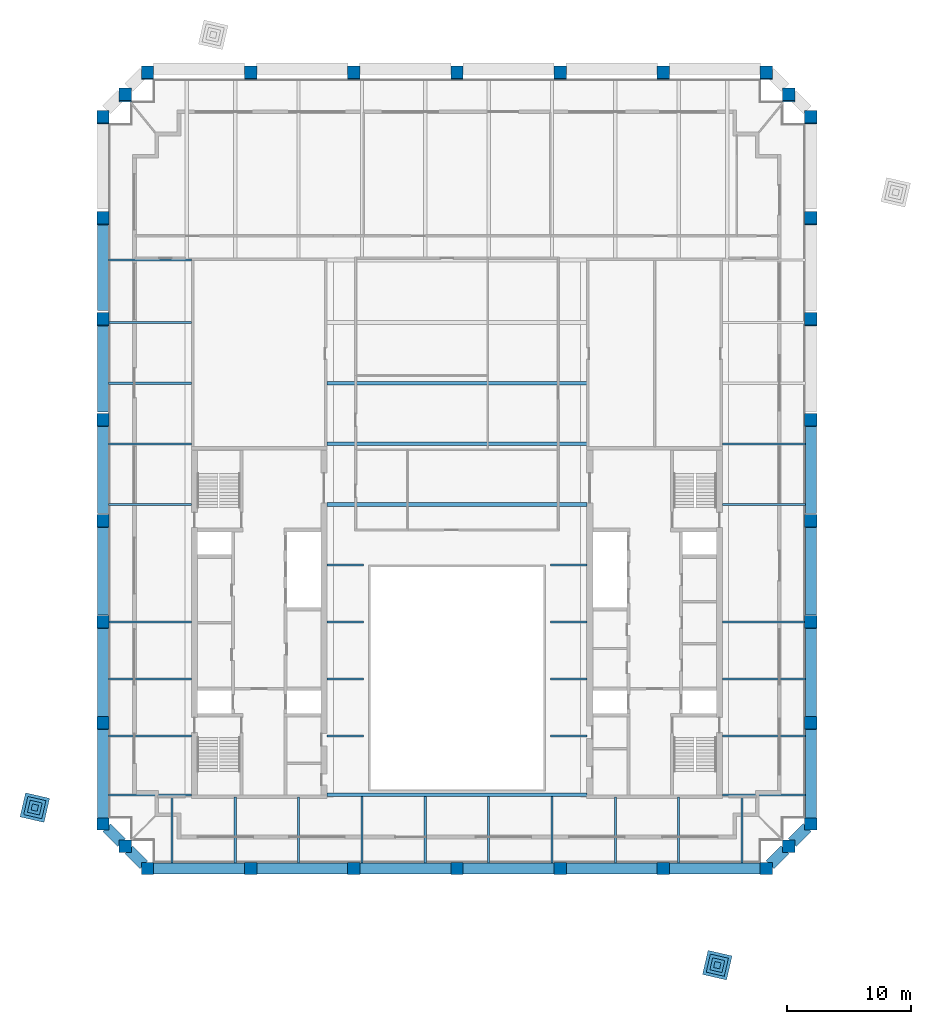
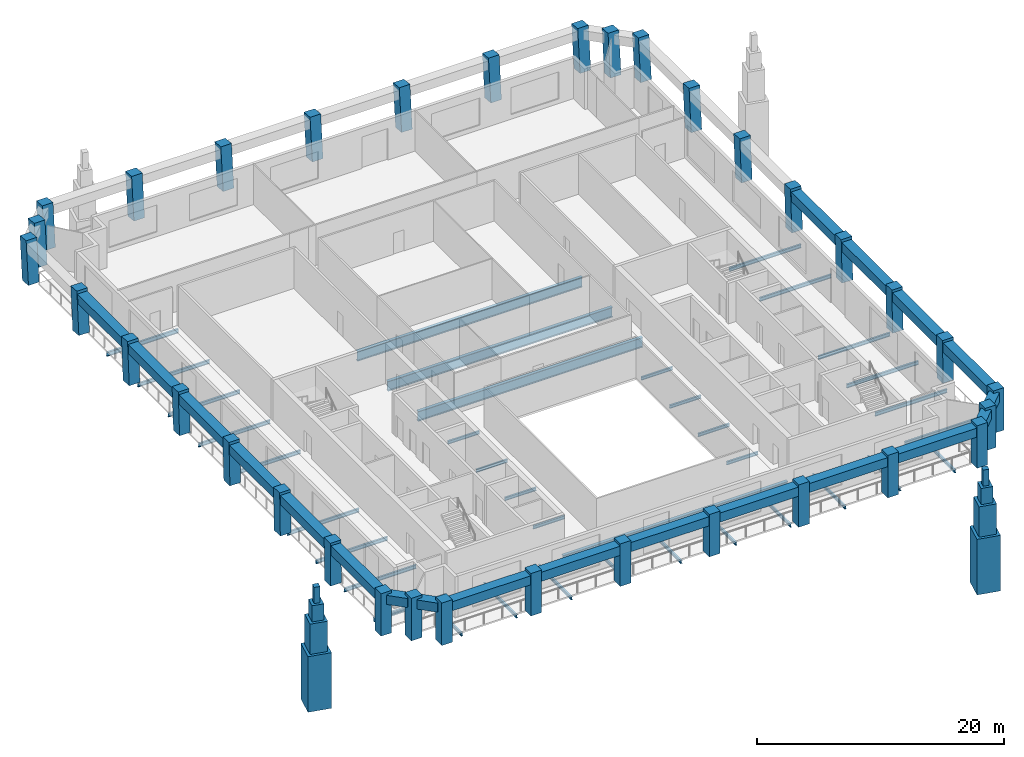
# One storey, part 1 of 8: 57 beams, 34 columns, 8 members.
"""IFC4 building model written with IfcOpenShell, lengths in metres."""

from ifc_helpers import new_model, si_unit, direction, frame, origin, origin_2d, place, context, subcontext, project, spatial, rectangle, i_section, extrude, material, material_profile, profile_set, type_object, element, save


model = new_model("IFC4")

# Units and contexts
model_context = context("Model", 3, precision=1e-05, world=origin(), true_north=direction((0.0, 1.0)))
body_context = subcontext(model_context, "Body", "Model", "MODEL_VIEW")
ifc_project = project(units=[si_unit("LENGTHUNIT", "METRE"), si_unit("AREAUNIT", "SQUARE_METRE"), si_unit("VOLUMEUNIT", "CUBIC_METRE"), si_unit("PLANEANGLEUNIT", "RADIAN"), si_unit("MASSUNIT", "GRAM", prefix="KILO")], contexts=[model_context])

# Site, building, storey
site_placement = place(None, origin())
site = spatial("IfcSite", under=ifc_project, at=site_placement, CompositionType="ELEMENT")
building_placement = place(site_placement, origin())
building = spatial("IfcBuilding", under=site, at=building_placement, Name="Ogive Exchange Tower", CompositionType="ELEMENT")
storey_placement = place(building_placement, frame((0.0, 0.0, 309.0)))
storey = spatial("IfcBuildingStorey", under=building, at=storey_placement, Name="L67", CompositionType="ELEMENT", Elevation=309.0)

# Columns
ifc_material_1 = material(Name="Precast concrete C70/85 (limestone faced)", Category="masonry")
ifc_material_profile_1 = material_profile(ifc_material_1, rectangle(XDim=1.0, YDim=1.0, at=origin_2d()), Name="1000 x 1000")
ifc_profile_set_1 = profile_set([ifc_material_profile_1], Name="Precast concrete C70/85 (limestone faced)")
column_type = type_object("IfcColumnType", Name="Precast exoskeleton leg 1000 x 1000 C70/85", PredefinedType="COLUMN", material=ifc_profile_set_1)
for number, where, z_axis, x_axis, name in (
    (1, (-25.050048828125, -8.39990234375, 0.0), (0.0, 0.0, 1.0), (1.0, 0.0, 0.0), "Exoskeleton leg 1"),
    (2, (-16.699951171875, -8.39990234375, 0.0), (0.0, 0.0, 1.0), (1.0, 0.0, 0.0), "Exoskeleton leg 2"),
    (3, (-8.35009765625, -8.39990234375, 0.0), (0.0, 0.0, 1.0), (1.0, 0.0, 0.0), "Exoskeleton leg 3"),
    (4, (0.0, -8.39990234375, 0.0), (0.0, 0.0, 1.0), (1.0, 0.0, 0.0), "Exoskeleton leg 4"),
    (5, (8.35009765625, -8.39990234375, 0.0), (0.0, 0.0, 1.0), (1.0, 0.0, 0.0), "Exoskeleton leg 5"),
    (6, (16.699951171875, -8.39990234375, 0.0), (0.0, 0.0, 1.0), (1.0, 0.0, 0.0), "Exoskeleton leg 6"),
    (7, (25.050048828125, -8.39990234375, 0.0), (0.0, 0.0, 1.0), (1.0, 0.0, 0.0), "Exoskeleton leg 7"),
    (8, (28.64990234375, -4.800048828125, 0.0), (0.0, 0.0, 1.0), (1.0, 0.0, 0.0), "Exoskeleton leg 8"),
):
    element("IfcColumn", number, at=place(storey_placement, frame(where, z_axis=z_axis, x_axis=x_axis)), inside=storey, type_object=column_type, Name=name, PredefinedType="COLUMN", context=body_context, shape_type="SweptSolid", body=[
        extrude(rectangle(XDim=1.0, YDim=1.0, at=origin_2d()), origin(), (0.0, 0.0, 1.0), 4.199951171875),
    ])
column_1_placement = place(storey_placement, frame((28.64990234375, 3.363525390625, 0.0), z_axis=(0.0, 0.013019881024, 0.999915237757), x_axis=(-1.0, 0.0, 0.0)))
element("IfcColumn", 9, at=column_1_placement, inside=storey, type_object=column_type, Name="Exoskeleton leg 9", PredefinedType="COLUMN", context=body_context, shape_type="SweptSolid", body=[
    extrude(rectangle(XDim=1.0, YDim=1.0, at=origin_2d()), origin(), (0.0, 0.0, 1.0), 4.2001953125),
])
column_2_placement = place(storey_placement, frame((28.64990234375, 11.52734375, 0.0), z_axis=(0.0, 0.025975072843, 0.999662590873), x_axis=(-1.0, 0.0, 0.0)))
element("IfcColumn", 10, at=column_2_placement, inside=storey, type_object=column_type, Name="Exoskeleton leg 10", PredefinedType="COLUMN", context=body_context, shape_type="SweptSolid", body=[
    extrude(rectangle(XDim=1.0, YDim=1.0, at=origin_2d()), origin(), (0.0, 0.0, 1.0), 4.201416015625),
])
column_3_placement = place(storey_placement, frame((28.64990234375, 19.69091796875, 0.0), z_axis=(0.0, 0.038917190853, 0.999242439179), x_axis=(-1.0, 0.0, 0.0)))
element("IfcColumn", 11, at=column_3_placement, inside=storey, type_object=column_type, Name="Exoskeleton leg 11", PredefinedType="COLUMN", context=body_context, shape_type="SweptSolid", body=[
    extrude(rectangle(XDim=1.0, YDim=1.0, at=origin_2d()), origin(), (0.0, 0.0, 1.0), 4.203125),
])
column_4_placement = place(storey_placement, frame((28.64990234375, 27.8544921875, 0.0), z_axis=(0.0, 0.051897648879, 0.99865240902), x_axis=(-1.0, 0.0, 0.0)))
element("IfcColumn", 12, at=column_4_placement, inside=storey, type_object=column_type, Name="Exoskeleton leg 12", PredefinedType="COLUMN", context=body_context, shape_type="SweptSolid", body=[
    extrude(rectangle(XDim=1.0, YDim=1.0, at=origin_2d()), origin(), (0.0, 0.0, 1.0), 4.20556640625),
])
column_5_placement = place(storey_placement, frame((28.64990234375, 36.018310546875, 0.0), z_axis=(0.0, 0.064794093908, 0.997898654872), x_axis=(-1.0, 0.0, 0.0)))
element("IfcColumn", 13, at=column_5_placement, inside=storey, type_object=column_type, Name="Exoskeleton leg 13", PredefinedType="COLUMN", context=body_context, shape_type="SweptSolid", body=[
    extrude(rectangle(XDim=1.0, YDim=1.0, at=origin_2d()), origin(), (0.0, 0.0, 1.0), 4.208740234375),
])
column_6_placement = place(storey_placement, frame((28.64990234375, 44.181884765625, 0.0), z_axis=(0.0, 0.077658156178, 0.996980045326), x_axis=(-1.0, 0.0, 0.0)))
element("IfcColumn", 14, at=column_6_placement, inside=storey, type_object=column_type, Name="Exoskeleton leg 14", PredefinedType="COLUMN", context=body_context, shape_type="SweptSolid", body=[
    extrude(rectangle(XDim=1.0, YDim=1.0, at=origin_2d()), origin(), (0.0, 0.0, 1.0), 4.212646484375),
])
for number, where, z_axis, x_axis, name in (
    (15, (28.64990234375, 52.345458984375, 0.0), (0.0, 0.090540965689, 0.995892731941), (-1.0, 0.0, 0.0), "Exoskeleton leg 15"),
    (16, (25.050048828125, 55.945556640625, 0.0), (0.0, 0.090540965689, 0.995892731941), (-1.0, 0.0, 0.0), "Exoskeleton leg 16"),
    (17, (16.699951171875, 55.945556640625, 0.0), (0.0, 0.090540965689, 0.995892731941), (-1.0, 0.0, 0.0), "Exoskeleton leg 17"),
    (18, (8.35009765625, 55.945556640625, 0.0), (0.0, 0.090540965689, 0.995892731941), (-1.0, 0.0, 0.0), "Exoskeleton leg 18"),
    (19, (0.0, 55.945556640625, 0.0), (0.0, 0.090540965689, 0.995892731941), (-1.0, 0.0, 0.0), "Exoskeleton leg 19"),
    (20, (-8.35009765625, 55.945556640625, 0.0), (0.0, 0.090540965689, 0.995892731941), (-1.0, 0.0, 0.0), "Exoskeleton leg 20"),
    (21, (-16.699951171875, 55.945556640625, 0.0), (0.0, 0.090540965689, 0.995892731941), (-1.0, 0.0, 0.0), "Exoskeleton leg 21"),
    (22, (-25.050048828125, 55.945556640625, 0.0), (0.0, 0.090540965689, 0.995892731941), (-1.0, 0.0, 0.0), "Exoskeleton leg 22"),
    (23, (-28.64990234375, 52.345458984375, 0.0), (0.0, 0.090540965689, 0.995892731941), (-1.0, 0.0, 0.0), "Exoskeleton leg 23"),
):
    element("IfcColumn", number, at=place(storey_placement, frame(where, z_axis=z_axis, x_axis=x_axis)), inside=storey, type_object=column_type, Name=name, PredefinedType="COLUMN", context=body_context, shape_type="SweptSolid", body=[
        extrude(rectangle(XDim=1.0, YDim=1.0, at=origin_2d()), origin(), (0.0, 0.0, 1.0), 4.21728515625),
    ])
column_7_placement = place(storey_placement, frame((-28.64990234375, 44.181884765625, 0.0), z_axis=(0.0, 0.077658156178, 0.996980045326), x_axis=(-1.0, 0.0, 0.0)))
element("IfcColumn", 24, at=column_7_placement, inside=storey, type_object=column_type, Name="Exoskeleton leg 24", PredefinedType="COLUMN", context=body_context, shape_type="SweptSolid", body=[
    extrude(rectangle(XDim=1.0, YDim=1.0, at=origin_2d()), origin(), (0.0, 0.0, 1.0), 4.212646484375),
])
column_8_placement = place(storey_placement, frame((-28.64990234375, 36.018310546875, 0.0), z_axis=(0.0, 0.064794093908, 0.997898654872), x_axis=(-1.0, 0.0, 0.0)))
element("IfcColumn", 25, at=column_8_placement, inside=storey, type_object=column_type, Name="Exoskeleton leg 25", PredefinedType="COLUMN", context=body_context, shape_type="SweptSolid", body=[
    extrude(rectangle(XDim=1.0, YDim=1.0, at=origin_2d()), origin(), (0.0, 0.0, 1.0), 4.208740234375),
])
column_9_placement = place(storey_placement, frame((-28.64990234375, 27.8544921875, 0.0), z_axis=(0.0, 0.051897648879, 0.99865240902), x_axis=(-1.0, 0.0, 0.0)))
element("IfcColumn", 26, at=column_9_placement, inside=storey, type_object=column_type, Name="Exoskeleton leg 26", PredefinedType="COLUMN", context=body_context, shape_type="SweptSolid", body=[
    extrude(rectangle(XDim=1.0, YDim=1.0, at=origin_2d()), origin(), (0.0, 0.0, 1.0), 4.20556640625),
])
column_10_placement = place(storey_placement, frame((-28.64990234375, 19.69091796875, 0.0), z_axis=(0.0, 0.038917190853, 0.999242439179), x_axis=(-1.0, 0.0, 0.0)))
element("IfcColumn", 27, at=column_10_placement, inside=storey, type_object=column_type, Name="Exoskeleton leg 27", PredefinedType="COLUMN", context=body_context, shape_type="SweptSolid", body=[
    extrude(rectangle(XDim=1.0, YDim=1.0, at=origin_2d()), origin(), (0.0, 0.0, 1.0), 4.203125),
])
column_11_placement = place(storey_placement, frame((-28.64990234375, 11.52734375, 0.0), z_axis=(0.0, 0.025975072843, 0.999662590873), x_axis=(-1.0, 0.0, 0.0)))
element("IfcColumn", 28, at=column_11_placement, inside=storey, type_object=column_type, Name="Exoskeleton leg 28", PredefinedType="COLUMN", context=body_context, shape_type="SweptSolid", body=[
    extrude(rectangle(XDim=1.0, YDim=1.0, at=origin_2d()), origin(), (0.0, 0.0, 1.0), 4.201416015625),
])
column_12_placement = place(storey_placement, frame((-28.64990234375, 3.363525390625, 0.0), z_axis=(0.0, 0.013019881024, 0.999915237757), x_axis=(-1.0, 0.0, 0.0)))
element("IfcColumn", 29, at=column_12_placement, inside=storey, type_object=column_type, Name="Exoskeleton leg 29", PredefinedType="COLUMN", context=body_context, shape_type="SweptSolid", body=[
    extrude(rectangle(XDim=1.0, YDim=1.0, at=origin_2d()), origin(), (0.0, 0.0, 1.0), 4.2001953125),
])
for number, where, z_axis, x_axis, name in (
    (30, (-28.64990234375, -4.800048828125, 0.0), (0.0, 0.0, 1.0), (1.0, 0.0, 0.0), "Exoskeleton leg 30"),
    (31, (26.85009765625, -6.60009765625, 0.0), (0.0, 0.0, 1.0), (1.0, 0.0, 0.0), "Exoskeleton leg 31"),
):
    element("IfcColumn", number, at=place(storey_placement, frame(where, z_axis=z_axis, x_axis=x_axis)), inside=storey, type_object=column_type, Name=name, PredefinedType="COLUMN", context=body_context, shape_type="SweptSolid", body=[
        extrude(rectangle(XDim=1.0, YDim=1.0, at=origin_2d()), origin(), (0.0, 0.0, 1.0), 4.199951171875),
    ])
for number, where, z_axis, x_axis, name in (
    (32, (26.85009765625, 54.1455078125, 0.0), (0.0, 0.090540965689, 0.995892731941), (-1.0, 0.0, 0.0), "Exoskeleton leg 32"),
    (33, (-26.85009765625, 54.1455078125, 0.0), (0.0, 0.090540965689, 0.995892731941), (-1.0, 0.0, 0.0), "Exoskeleton leg 33"),
):
    element("IfcColumn", number, at=place(storey_placement, frame(where, z_axis=z_axis, x_axis=x_axis)), inside=storey, type_object=column_type, Name=name, PredefinedType="COLUMN", context=body_context, shape_type="SweptSolid", body=[
        extrude(rectangle(XDim=1.0, YDim=1.0, at=origin_2d()), origin(), (0.0, 0.0, 1.0), 4.21728515625),
    ])
column_13_placement = place(storey_placement, frame((-26.85009765625, -6.60009765625, 0.0), z_axis=(0.0, 0.0, 1.0), x_axis=(1.0, 0.0, 0.0)))
element("IfcColumn", 34, at=column_13_placement, inside=storey, type_object=column_type, Name="Exoskeleton leg 34", PredefinedType="COLUMN", context=body_context, shape_type="SweptSolid", body=[
    extrude(rectangle(XDim=1.0, YDim=1.0, at=origin_2d()), origin(), (0.0, 0.0, 1.0), 4.199951171875),
])

# Beams
ifc_material_2 = material(Name="Steel ASTM A992 Gr50", Category="steel")
ifc_material_profile_2 = material_profile(ifc_material_2, i_section(OverallWidth=0.300048828125, OverallDepth=0.97998046875, WebThickness=0.0166015625, FlangeThickness=0.026123046875, at=origin_2d()), Name="W1000x249")
ifc_profile_set_2 = profile_set([ifc_material_profile_2], Name="Steel ASTM A992 Gr50")
beam_type_1 = type_object("IfcBeamType", Name="Floor beam W1000x249", PredefinedType="JOIST", material=ifc_profile_set_2)
for number, where, z_axis, x_axis, name in (
    (35, (-10.52001953125, 21.06201171875, -0.68994140625), (1.0, 0.0, 0.0), (0.0, 1.0, 0.0), "Floor beam"),
    (36, (-10.52001953125, 25.968994140625, -0.68994140625), (1.0, 0.0, 0.0), (0.0, 1.0, 0.0), "Floor beam"),
    (37, (-10.52001953125, 30.8759765625, -0.68994140625), (1.0, 0.0, 0.0), (0.0, 1.0, 0.0), "Floor beam"),
):
    element("IfcBeam", number, at=place(storey_placement, frame(where, z_axis=z_axis, x_axis=x_axis)), inside=storey, type_object=beam_type_1, Name=name, PredefinedType="JOIST", context=body_context, shape_type="SweptSolid", body=[
        extrude(i_section(OverallWidth=0.300048828125, OverallDepth=0.97998046875, WebThickness=0.0166015625, FlangeThickness=0.026123046875, at=origin_2d()), origin(), (0.0, 0.0, 1.0), 21.0400390625),
    ])
ifc_material_profile_3 = material_profile(ifc_material_2, i_section(OverallWidth=0.1650390625, OverallDepth=0.31005859375, WebThickness=0.005859375, FlangeThickness=0.009765625, at=origin_2d()), Name="W310x38.7")
ifc_profile_set_3 = profile_set([ifc_material_profile_3], Name="Steel ASTM A992 Gr50")
beam_type_2 = type_object("IfcBeamType", Name="Floor beam W310x38.7", PredefinedType="JOIST", material=ifc_profile_set_3)
for number, where, z_axis, x_axis, name in (
    (38, (-10.52001953125, 2.3212890625, -0.35498046875), (1.0, 0.0, 0.0), (0.0, 1.0, 0.0), "Floor beam"),
    (39, (7.570068359375, 2.3212890625, -0.35498046875), (1.0, 0.0, 0.0), (0.0, 1.0, 0.0), "Floor beam"),
    (40, (-10.52001953125, 6.9326171875, -0.35498046875), (1.0, 0.0, 0.0), (0.0, 1.0, 0.0), "Floor beam"),
    (41, (7.570068359375, 6.9326171875, -0.35498046875), (1.0, 0.0, 0.0), (0.0, 1.0, 0.0), "Floor beam"),
    (42, (-10.52001953125, 11.543701171875, -0.35498046875), (1.0, 0.0, 0.0), (0.0, 1.0, 0.0), "Floor beam"),
    (43, (7.570068359375, 11.543701171875, -0.35498046875), (1.0, 0.0, 0.0), (0.0, 1.0, 0.0), "Floor beam"),
):
    element("IfcBeam", number, at=place(storey_placement, frame(where, z_axis=z_axis, x_axis=x_axis)), inside=storey, type_object=beam_type_2, Name=name, PredefinedType="JOIST", context=body_context, shape_type="SweptSolid", body=[
        extrude(i_section(OverallWidth=0.1650390625, OverallDepth=0.31005859375, WebThickness=0.005859375, FlangeThickness=0.009765625, at=origin_2d()), origin(), (0.0, 0.0, 1.0), 2.949951171875),
    ])
beam_1_placement = place(storey_placement, frame((-23.07275390625, -7.949951171875, -0.35498046875), z_axis=(0.0, 1.0, 0.0), x_axis=(-1.0, 0.0, 0.0)))
element("IfcBeam", 44, at=beam_1_placement, inside=storey, type_object=beam_type_2, Name="Floor beam", PredefinedType="JOIST", context=body_context, shape_type="SweptSolid", body=[
    extrude(i_section(OverallWidth=0.1650390625, OverallDepth=0.31005859375, WebThickness=0.005859375, FlangeThickness=0.009765625, at=origin_2d()), origin(), (0.0, 0.0, 1.0), 5.416015625),
])
for number, where, z_axis, x_axis, name in (
    (45, (-17.945556640625, -7.949951171875, -0.35498046875), (0.0, 1.0, 0.0), (-1.0, 0.0, 0.0), "Floor beam"),
    (46, (-12.818115234375, -7.949951171875, -0.35498046875), (0.0, 1.0, 0.0), (-1.0, 0.0, 0.0), "Floor beam"),
):
    element("IfcBeam", number, at=place(storey_placement, frame(where, z_axis=z_axis, x_axis=x_axis)), inside=storey, type_object=beam_type_2, Name=name, PredefinedType="JOIST", context=body_context, shape_type="SweptSolid", body=[
        extrude(i_section(OverallWidth=0.1650390625, OverallDepth=0.31005859375, WebThickness=0.005859375, FlangeThickness=0.009765625, at=origin_2d()), origin(), (0.0, 0.0, 1.0), 5.349853515625),
    ])
for number, where, z_axis, x_axis, name in (
    (47, (-7.69091796875, -7.949951171875, -0.35498046875), (0.0, 1.0, 0.0), (-1.0, 0.0, 0.0), "Floor beam"),
    (48, (-2.563720703125, -7.949951171875, -0.35498046875), (0.0, 1.0, 0.0), (-1.0, 0.0, 0.0), "Floor beam"),
    (49, (2.563720703125, -7.949951171875, -0.35498046875), (0.0, 1.0, 0.0), (-1.0, 0.0, 0.0), "Floor beam"),
    (50, (7.69091796875, -7.949951171875, -0.35498046875), (0.0, 1.0, 0.0), (-1.0, 0.0, 0.0), "Floor beam"),
):
    element("IfcBeam", number, at=place(storey_placement, frame(where, z_axis=z_axis, x_axis=x_axis)), inside=storey, type_object=beam_type_2, Name=name, PredefinedType="JOIST", context=body_context, shape_type="SweptSolid", body=[
        extrude(i_section(OverallWidth=0.1650390625, OverallDepth=0.31005859375, WebThickness=0.005859375, FlangeThickness=0.009765625, at=origin_2d()), origin(), (0.0, 0.0, 1.0), 5.35498046875),
    ])
for number, where, z_axis, x_axis, name in (
    (51, (12.818115234375, -7.949951171875, -0.35498046875), (0.0, 1.0, 0.0), (-1.0, 0.0, 0.0), "Floor beam"),
    (52, (17.945556640625, -7.949951171875, -0.35498046875), (0.0, 1.0, 0.0), (-1.0, 0.0, 0.0), "Floor beam"),
):
    element("IfcBeam", number, at=place(storey_placement, frame(where, z_axis=z_axis, x_axis=x_axis)), inside=storey, type_object=beam_type_2, Name=name, PredefinedType="JOIST", context=body_context, shape_type="SweptSolid", body=[
        extrude(i_section(OverallWidth=0.1650390625, OverallDepth=0.31005859375, WebThickness=0.005859375, FlangeThickness=0.009765625, at=origin_2d()), origin(), (0.0, 0.0, 1.0), 5.349853515625),
    ])
beam_2_placement = place(storey_placement, frame((23.07275390625, -7.949951171875, -0.35498046875), z_axis=(0.0, 1.0, 0.0), x_axis=(-1.0, 0.0, 0.0)))
element("IfcBeam", 53, at=beam_2_placement, inside=storey, type_object=beam_type_2, Name="Floor beam", PredefinedType="JOIST", context=body_context, shape_type="SweptSolid", body=[
    extrude(i_section(OverallWidth=0.1650390625, OverallDepth=0.31005859375, WebThickness=0.005859375, FlangeThickness=0.009765625, at=origin_2d()), origin(), (0.0, 0.0, 1.0), 5.416015625),
])
ifc_material_profile_4 = material_profile(ifc_material_2, i_section(OverallWidth=0.1708984375, OverallDepth=0.35595703125, WebThickness=0.00732421875, FlangeThickness=0.01171875, at=origin_2d()), Name="W360x51")
ifc_profile_set_4 = profile_set([ifc_material_profile_4], Name="Steel ASTM A992 Gr50")
beam_type_3 = type_object("IfcBeamType", Name="Floor beam W360x51", PredefinedType="JOIST", material=ifc_profile_set_4)
for number, where, z_axis, x_axis, name in (
    (54, (-28.199951171875, 2.3212890625, -0.3779296875), (1.0, 0.0, 0.0), (0.0, 1.0, 0.0), "Floor beam"),
    (55, (21.47998046875, 2.3212890625, -0.3779296875), (1.0, 0.0, 0.0), (0.0, 1.0, 0.0), "Floor beam"),
    (56, (-28.199951171875, 6.9326171875, -0.3779296875), (1.0, 0.0, 0.0), (0.0, 1.0, 0.0), "Floor beam"),
    (57, (21.47998046875, 6.9326171875, -0.3779296875), (1.0, 0.0, 0.0), (0.0, 1.0, 0.0), "Floor beam"),
    (58, (-28.199951171875, 11.543701171875, -0.3779296875), (1.0, 0.0, 0.0), (0.0, 1.0, 0.0), "Floor beam"),
    (59, (21.47998046875, 11.543701171875, -0.3779296875), (1.0, 0.0, 0.0), (0.0, 1.0, 0.0), "Floor beam"),
    (60, (-28.199951171875, 21.06201171875, -0.3779296875), (1.0, 0.0, 0.0), (0.0, 1.0, 0.0), "Floor beam"),
    (61, (21.47998046875, 21.06201171875, -0.3779296875), (1.0, 0.0, 0.0), (0.0, 1.0, 0.0), "Floor beam"),
    (62, (-28.199951171875, 25.968994140625, -0.3779296875), (1.0, 0.0, 0.0), (0.0, 1.0, 0.0), "Floor beam"),
    (63, (21.47998046875, 25.968994140625, -0.3779296875), (1.0, 0.0, 0.0), (0.0, 1.0, 0.0), "Floor beam"),
    (64, (-28.199951171875, 30.8759765625, -0.3779296875), (1.0, 0.0, 0.0), (0.0, 1.0, 0.0), "Floor beam"),
    (65, (-28.199951171875, 35.782958984375, -0.3779296875), (1.0, 0.0, 0.0), (0.0, 1.0, 0.0), "Floor beam"),
):
    element("IfcBeam", number, at=place(storey_placement, frame(where, z_axis=z_axis, x_axis=x_axis)), inside=storey, type_object=beam_type_3, Name=name, PredefinedType="JOIST", context=body_context, shape_type="SweptSolid", body=[
        extrude(i_section(OverallWidth=0.1708984375, OverallDepth=0.35595703125, WebThickness=0.00732421875, FlangeThickness=0.01171875, at=origin_2d()), origin(), (0.0, 0.0, 1.0), 6.719970703125),
    ])
ifc_material_profile_5 = material_profile(ifc_material_2, i_section(OverallWidth=0.300048828125, OverallDepth=0.97998046875, WebThickness=0.0166015625, FlangeThickness=0.026123046875, at=origin_2d()), Name="W1000x249")
ifc_profile_set_5 = profile_set([ifc_material_profile_5], Name="Steel ASTM A992 Gr50")
beam_type_4 = type_object("IfcBeamType", Name="Girder W1000x249", PredefinedType="BEAM", material=ifc_profile_set_5)
beam_3_placement = place(storey_placement, frame((-10.52001953125, -2.445068359375, -0.68994140625), z_axis=(1.0, 0.0, 0.0), x_axis=(0.0, 1.0, 0.0)))
element("IfcBeam", 66, at=beam_3_placement, inside=storey, type_object=beam_type_4, Name="Header girder", PredefinedType="BEAM", context=body_context, shape_type="SweptSolid", body=[
    extrude(i_section(OverallWidth=0.300048828125, OverallDepth=0.97998046875, WebThickness=0.0166015625, FlangeThickness=0.026123046875, at=origin_2d()), origin(), (0.0, 0.0, 1.0), 21.0400390625),
])
ifc_material_profile_6 = material_profile(ifc_material_2, i_section(OverallWidth=0.1650390625, OverallDepth=0.31005859375, WebThickness=0.005859375, FlangeThickness=0.009765625, at=origin_2d()), Name="W310x38.7")
ifc_profile_set_6 = profile_set([ifc_material_profile_6], Name="Steel ASTM A992 Gr50")
beam_type_5 = type_object("IfcBeamType", Name="Girder W310x38.7", PredefinedType="BEAM", material=ifc_profile_set_6)
for number, where, z_axis, x_axis, name in (
    (67, (-10.52001953125, 16.155029296875, -0.35498046875), (1.0, 0.0, 0.0), (0.0, 1.0, 0.0), "Trimmer girder"),
    (68, (7.570068359375, 16.155029296875, -0.35498046875), (1.0, 0.0, 0.0), (0.0, 1.0, 0.0), "Trimmer girder"),
):
    element("IfcBeam", number, at=place(storey_placement, frame(where, z_axis=z_axis, x_axis=x_axis)), inside=storey, type_object=beam_type_5, Name=name, PredefinedType="BEAM", context=body_context, shape_type="SweptSolid", body=[
        extrude(i_section(OverallWidth=0.1650390625, OverallDepth=0.31005859375, WebThickness=0.005859375, FlangeThickness=0.009765625, at=origin_2d()), origin(), (0.0, 0.0, 1.0), 2.949951171875),
    ])
ifc_material_profile_7 = material_profile(ifc_material_2, i_section(OverallWidth=0.177978515625, OverallDepth=0.406005859375, WebThickness=0.0078125, FlangeThickness=0.0126953125, at=origin_2d()), Name="W410x60")
ifc_profile_set_7 = profile_set([ifc_material_profile_7], Name="Steel ASTM A992 Gr50")
beam_type_6 = type_object("IfcBeamType", Name="Girder W410x60", PredefinedType="BEAM", material=ifc_profile_set_7)
for number, where, z_axis, x_axis, name in (
    (69, (-28.199951171875, -2.445068359375, -0.403076171875), (1.0, 0.0, 0.0), (0.0, 1.0, 0.0), "Header girder"),
    (70, (21.47998046875, -2.445068359375, -0.403076171875), (1.0, 0.0, 0.0), (0.0, 1.0, 0.0), "Header girder"),
    (71, (-28.199951171875, 40.844970703125, -0.403076171875), (1.0, 0.0, 0.0), (0.0, 1.0, 0.0), "Header girder"),
):
    element("IfcBeam", number, at=place(storey_placement, frame(where, z_axis=z_axis, x_axis=x_axis)), inside=storey, type_object=beam_type_6, Name=name, PredefinedType="BEAM", context=body_context, shape_type="SweptSolid", body=[
        extrude(i_section(OverallWidth=0.177978515625, OverallDepth=0.406005859375, WebThickness=0.0078125, FlangeThickness=0.0126953125, at=origin_2d()), origin(), (0.0, 0.0, 1.0), 6.719970703125),
    ])

# Members
ifc_material_3 = material(Name="Precast concrete C50/60", Category="concrete")
ifc_material_profile_8 = material_profile(ifc_material_3, rectangle(XDim=2.0, YDim=2.0, at=origin_2d()), Name="PINNACLE 1 2000 x 2000")
ifc_profile_set_8 = profile_set([ifc_material_profile_8], Name="Precast concrete C50/60")
member_type_1 = type_object("IfcMemberType", Name="Precast pinnacle stage 1 2000 x 2000 C50/60", PredefinedType="USERDEFINED", material=ifc_profile_set_8)
for number, where, z_axis, x_axis, name in (
    (72, (21.076904296875, -16.23193359375, -6.0), (0.0, 0.0, 1.0), (0.974370064785, -0.224951054344, 0.0), "Head pinnacle 4-1"),
    (73, (-34.1689453125, -3.47705078125, -6.0), (0.0, 0.0, 1.0), (0.974370064785, -0.224951054344, 0.0), "Head pinnacle 4-4"),
):
    element("IfcMember", number, at=place(storey_placement, frame(where, z_axis=z_axis, x_axis=x_axis)), inside=storey, type_object=member_type_1, Name=name, ObjectType="PINNACLE", PredefinedType="USERDEFINED", context=body_context, shape_type="SweptSolid", body=[
        extrude(rectangle(XDim=2.0, YDim=2.0, at=origin_2d()), origin(), (0.0, 0.0, 1.0), 5.5),
    ])
ifc_material_profile_9 = material_profile(ifc_material_3, rectangle(XDim=1.5, YDim=1.5, at=origin_2d()), Name="PINNACLE 2 1500 x 1500")
ifc_profile_set_9 = profile_set([ifc_material_profile_9], Name="Precast concrete C50/60")
member_type_2 = type_object("IfcMemberType", Name="Precast pinnacle stage 2 1500 x 1500 C50/60", PredefinedType="USERDEFINED", material=ifc_profile_set_9)
for number, where, z_axis, x_axis, name in (
    (74, (21.076904296875, -16.23193359375, -0.5), (0.0, 0.0, 1.0), (0.974370064785, -0.224951054344, 0.0), "Head pinnacle 4-1 stage 2"),
    (75, (-34.1689453125, -3.47705078125, -0.5), (0.0, 0.0, 1.0), (0.974370064785, -0.224951054344, 0.0), "Head pinnacle 4-4 stage 2"),
):
    element("IfcMember", number, at=place(storey_placement, frame(where, z_axis=z_axis, x_axis=x_axis)), inside=storey, type_object=member_type_2, Name=name, ObjectType="PINNACLE", PredefinedType="USERDEFINED", context=body_context, shape_type="SweptSolid", body=[
        extrude(rectangle(XDim=1.5, YDim=1.5, at=origin_2d()), origin(), (0.0, 0.0, 1.0), 3.0),
    ])
ifc_material_profile_10 = material_profile(ifc_material_3, rectangle(XDim=1.0, YDim=1.0, at=origin_2d()), Name="PINNACLE 3 1000 x 1000")
ifc_profile_set_10 = profile_set([ifc_material_profile_10], Name="Precast concrete C50/60")
member_type_3 = type_object("IfcMemberType", Name="Precast pinnacle stage 3 1000 x 1000 C50/60", PredefinedType="USERDEFINED", material=ifc_profile_set_10)
for number, where, z_axis, x_axis, name in (
    (76, (21.076904296875, -16.23193359375, 2.5), (0.0, 0.0, 1.0), (0.974370064785, -0.224951054344, 0.0), "Head pinnacle 4-1 stage 3"),
    (77, (-34.1689453125, -3.47705078125, 2.5), (0.0, 0.0, 1.0), (0.974370064785, -0.224951054344, 0.0), "Head pinnacle 4-4 stage 3"),
):
    element("IfcMember", number, at=place(storey_placement, frame(where, z_axis=z_axis, x_axis=x_axis)), inside=storey, type_object=member_type_3, Name=name, ObjectType="PINNACLE", PredefinedType="USERDEFINED", context=body_context, shape_type="SweptSolid", body=[
        extrude(rectangle(XDim=1.0, YDim=1.0, at=origin_2d()), origin(), (0.0, 0.0, 1.0), 1.60009765625),
    ])
ifc_material_profile_11 = material_profile(ifc_material_3, rectangle(XDim=0.5, YDim=0.5, at=origin_2d()), Name="PINNACLE 4 500 x 500")
ifc_profile_set_11 = profile_set([ifc_material_profile_11], Name="Precast concrete C50/60")
member_type_4 = type_object("IfcMemberType", Name="Precast pinnacle stage 4 500 x 500 C50/60", PredefinedType="USERDEFINED", material=ifc_profile_set_11)
for number, where, z_axis, x_axis, name in (
    (78, (21.076904296875, -16.23193359375, 4.10009765625), (0.0, 0.0, 1.0), (0.974370064785, -0.224951054344, 0.0), "Head pinnacle 4-1 stage 4"),
    (79, (-34.1689453125, -3.47705078125, 4.10009765625), (0.0, 0.0, 1.0), (0.974370064785, -0.224951054344, 0.0), "Head pinnacle 4-4 stage 4"),
):
    element("IfcMember", number, at=place(storey_placement, frame(where, z_axis=z_axis, x_axis=x_axis)), inside=storey, type_object=member_type_4, Name=name, ObjectType="PINNACLE", PredefinedType="USERDEFINED", context=body_context, shape_type="SweptSolid", body=[
        extrude(rectangle(XDim=0.5, YDim=0.5, at=origin_2d()), origin(), (0.0, 0.0, 1.0), 1.599853515625),
    ])

# Beams
ifc_material_profile_12 = material_profile(ifc_material_1, rectangle(XDim=0.89990234375, YDim=0.89990234375, at=origin_2d()), Name="900 x 900")
ifc_profile_set_12 = profile_set([ifc_material_profile_12], Name="Precast concrete C70/85 (limestone faced)")
beam_type_7 = type_object("IfcBeamType", Name="Precast spandrel 900 x 900 C70/85", PredefinedType="SPANDREL", material=ifc_profile_set_12)
beam_4_placement = place(storey_placement, frame((-24.570068359375, -8.39990234375, 3.5), z_axis=(1.0, 0.0, 0.0), x_axis=(0.0, 1.0, 0.0)))
element("IfcBeam", 80, at=beam_4_placement, inside=storey, type_object=beam_type_7, Name="Spandrel 1", PredefinedType="SPANDREL", context=body_context, shape_type="SweptSolid", body=[
    extrude(rectangle(XDim=0.89990234375, YDim=0.89990234375, at=origin_2d()), origin(), (0.0, 0.0, 1.0), 7.39013671875),
])
beam_5_placement = place(storey_placement, frame((-16.219970703125, -8.39990234375, 3.5), z_axis=(1.0, 0.0, 0.0), x_axis=(0.0, 1.0, 0.0)))
element("IfcBeam", 81, at=beam_5_placement, inside=storey, type_object=beam_type_7, Name="Spandrel 2", PredefinedType="SPANDREL", context=body_context, shape_type="SweptSolid", body=[
    extrude(rectangle(XDim=0.89990234375, YDim=0.89990234375, at=origin_2d()), origin(), (0.0, 0.0, 1.0), 7.389892578125),
])
for number, where, z_axis, x_axis, name in (
    (82, (-7.8701171875, -8.39990234375, 3.5), (1.0, 0.0, 0.0), (0.0, 1.0, 0.0), "Spandrel 3"),
    (83, (0.47998046875, -8.39990234375, 3.5), (1.0, 0.0, 0.0), (0.0, 1.0, 0.0), "Spandrel 4"),
):
    element("IfcBeam", number, at=place(storey_placement, frame(where, z_axis=z_axis, x_axis=x_axis)), inside=storey, type_object=beam_type_7, Name=name, PredefinedType="SPANDREL", context=body_context, shape_type="SweptSolid", body=[
        extrude(rectangle(XDim=0.89990234375, YDim=0.89990234375, at=origin_2d()), origin(), (0.0, 0.0, 1.0), 7.39013671875),
    ])
beam_6_placement = place(storey_placement, frame((8.830078125, -8.39990234375, 3.5), z_axis=(1.0, 0.0, 0.0), x_axis=(0.0, 1.0, 0.0)))
element("IfcBeam", 84, at=beam_6_placement, inside=storey, type_object=beam_type_7, Name="Spandrel 5", PredefinedType="SPANDREL", context=body_context, shape_type="SweptSolid", body=[
    extrude(rectangle(XDim=0.89990234375, YDim=0.89990234375, at=origin_2d()), origin(), (0.0, 0.0, 1.0), 7.389892578125),
])
beam_7_placement = place(storey_placement, frame((17.179931640625, -8.39990234375, 3.5), z_axis=(1.0, 0.0, 0.0), x_axis=(0.0, 1.0, 0.0)))
element("IfcBeam", 85, at=beam_7_placement, inside=storey, type_object=beam_type_7, Name="Spandrel 6", PredefinedType="SPANDREL", context=body_context, shape_type="SweptSolid", body=[
    extrude(rectangle(XDim=0.89990234375, YDim=0.89990234375, at=origin_2d()), origin(), (0.0, 0.0, 1.0), 7.39013671875),
])
for number, where, z_axis, x_axis, name in (
    (86, (25.337890625, -8.112060546875, 3.5), (0.707106781187, 0.707106781187, 0.0), (-0.707106781187, 0.707106781187, 0.0), "Spandrel 7"),
    (87, (27.137939453125, -6.31201171875, 3.5), (0.707106781187, 0.707106781187, 0.0), (-0.707106781187, 0.707106781187, 0.0), "Spandrel 8"),
):
    element("IfcBeam", number, at=place(storey_placement, frame(where, z_axis=z_axis, x_axis=x_axis)), inside=storey, type_object=beam_type_7, Name=name, PredefinedType="SPANDREL", context=body_context, shape_type="SweptSolid", body=[
        extrude(rectangle(XDim=0.89990234375, YDim=0.89990234375, at=origin_2d()), origin(), (0.0, 0.0, 1.0), 1.731201171875),
    ])
for number, where, z_axis, x_axis, name in (
    (88, (28.64990234375, -4.320068359375, 3.5), (0.0, 1.0, 0.0), (-1.0, 0.0, 0.0), "Spandrel 9"),
    (89, (28.64990234375, 3.898193359375, 3.5), (0.0, 1.0, 0.0), (-1.0, 0.0, 0.0), "Spandrel 10"),
):
    element("IfcBeam", number, at=place(storey_placement, frame(where, z_axis=z_axis, x_axis=x_axis)), inside=storey, type_object=beam_type_7, Name=name, PredefinedType="SPANDREL", context=body_context, shape_type="SweptSolid", body=[
        extrude(rectangle(XDim=0.89990234375, YDim=0.89990234375, at=origin_2d()), origin(), (0.0, 0.0, 1.0), 7.25830078125),
    ])
beam_8_placement = place(storey_placement, frame((28.64990234375, 12.116455078125, 3.5), z_axis=(0.0, 1.0, 0.0), x_axis=(-1.0, 0.0, 0.0)))
element("IfcBeam", 90, at=beam_8_placement, inside=storey, type_object=beam_type_7, Name="Spandrel 11", PredefinedType="SPANDREL", context=body_context, shape_type="SweptSolid", body=[
    extrude(rectangle(XDim=0.89990234375, YDim=0.89990234375, at=origin_2d()), origin(), (0.0, 0.0, 1.0), 7.258056640625),
])
beam_9_placement = place(storey_placement, frame((28.64990234375, 20.33447265625, 3.5), z_axis=(0.0, 1.0, 0.0), x_axis=(-1.0, 0.0, 0.0)))
element("IfcBeam", 91, at=beam_9_placement, inside=storey, type_object=beam_type_7, Name="Spandrel 12", PredefinedType="SPANDREL", context=body_context, shape_type="SweptSolid", body=[
    extrude(rectangle(XDim=0.89990234375, YDim=0.89990234375, at=origin_2d()), origin(), (0.0, 0.0, 1.0), 7.25830078125),
])
for number, where, z_axis, x_axis, name in (
    (92, (-28.64990234375, 44.029052734375, 3.5), (0.0, -1.0, 0.0), (1.0, 0.0, 0.0), "Spandrel 27"),
    (93, (-28.64990234375, 35.810791015625, 3.5), (0.0, -1.0, 0.0), (1.0, 0.0, 0.0), "Spandrel 28"),
):
    element("IfcBeam", number, at=place(storey_placement, frame(where, z_axis=z_axis, x_axis=x_axis)), inside=storey, type_object=beam_type_7, Name=name, PredefinedType="SPANDREL", context=body_context, shape_type="SweptSolid", body=[
        extrude(rectangle(XDim=0.89990234375, YDim=0.89990234375, at=origin_2d()), origin(), (0.0, 0.0, 1.0), 7.258056640625),
    ])
beam_10_placement = place(storey_placement, frame((-28.64990234375, 27.5927734375, 3.5), z_axis=(0.0, -1.0, 0.0), x_axis=(1.0, 0.0, 0.0)))
element("IfcBeam", 94, at=beam_10_placement, inside=storey, type_object=beam_type_7, Name="Spandrel 29", PredefinedType="SPANDREL", context=body_context, shape_type="SweptSolid", body=[
    extrude(rectangle(XDim=0.89990234375, YDim=0.89990234375, at=origin_2d()), origin(), (0.0, 0.0, 1.0), 7.25830078125),
])
beam_11_placement = place(storey_placement, frame((-28.64990234375, 19.37451171875, 3.5), z_axis=(0.0, -1.0, 0.0), x_axis=(1.0, 0.0, 0.0)))
element("IfcBeam", 95, at=beam_11_placement, inside=storey, type_object=beam_type_7, Name="Spandrel 30", PredefinedType="SPANDREL", context=body_context, shape_type="SweptSolid", body=[
    extrude(rectangle(XDim=0.89990234375, YDim=0.89990234375, at=origin_2d()), origin(), (0.0, 0.0, 1.0), 7.258056640625),
])
for number, where, z_axis, x_axis, name in (
    (96, (-28.64990234375, 11.156494140625, 3.5), (0.0, -1.0, 0.0), (1.0, 0.0, 0.0), "Spandrel 31"),
    (97, (-28.64990234375, 2.938232421875, 3.5), (0.0, -1.0, 0.0), (1.0, 0.0, 0.0), "Spandrel 32"),
):
    element("IfcBeam", number, at=place(storey_placement, frame(where, z_axis=z_axis, x_axis=x_axis)), inside=storey, type_object=beam_type_7, Name=name, PredefinedType="SPANDREL", context=body_context, shape_type="SweptSolid", body=[
        extrude(rectangle(XDim=0.89990234375, YDim=0.89990234375, at=origin_2d()), origin(), (0.0, 0.0, 1.0), 7.25830078125),
    ])
for number, where, z_axis, x_axis, name in (
    (98, (-28.362060546875, -5.087890625, 3.5), (0.707106781187, -0.707106781187, 0.0), (0.707106781187, 0.707106781187, 0.0), "Spandrel 33"),
    (99, (-26.56201171875, -6.887939453125, 3.5), (0.707106781187, -0.707106781187, 0.0), (0.707106781187, 0.707106781187, 0.0), "Spandrel 34"),
):
    element("IfcBeam", number, at=place(storey_placement, frame(where, z_axis=z_axis, x_axis=x_axis)), inside=storey, type_object=beam_type_7, Name=name, PredefinedType="SPANDREL", context=body_context, shape_type="SweptSolid", body=[
        extrude(rectangle(XDim=0.89990234375, YDim=0.89990234375, at=origin_2d()), origin(), (0.0, 0.0, 1.0), 1.731201171875),
    ])

save(model, "model.ifc")
